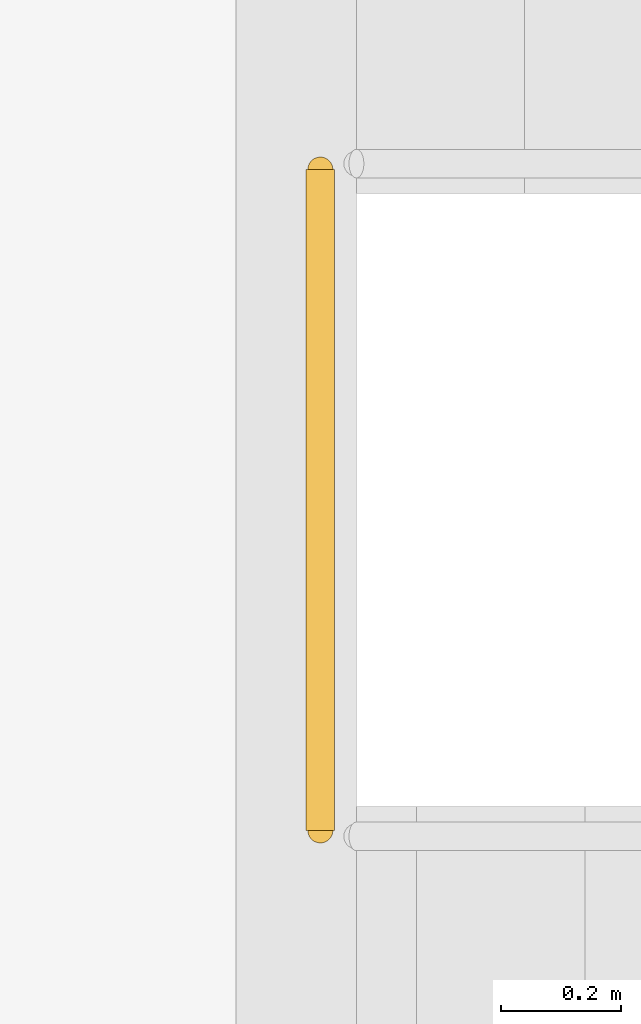
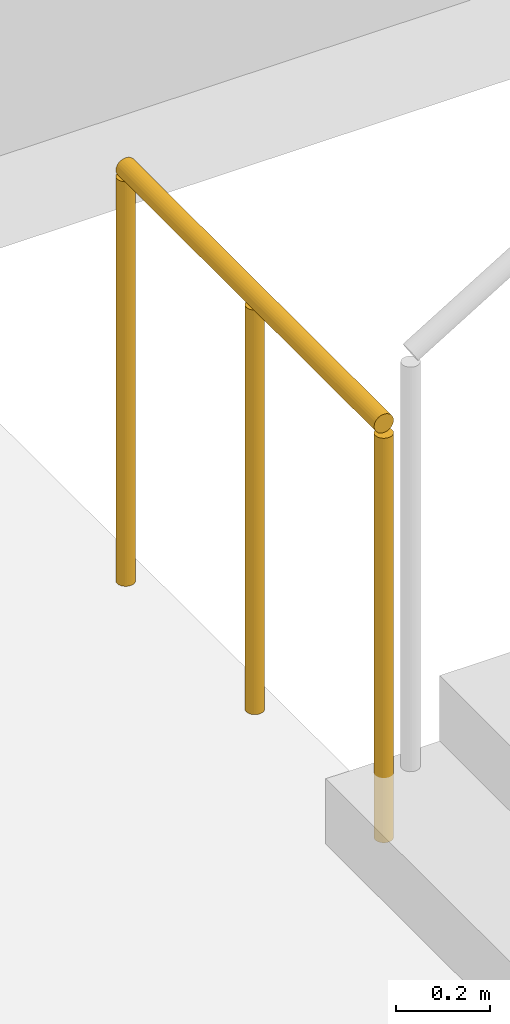
# One storey, part 71 of 79: 1 railing.
"""IFC4 building model written with IfcOpenShell, lengths in metres."""

from ifc_helpers import new_model, si_unit, direction, frame, origin, origin_2d, place, context, subcontext, project, spatial, circle, extrude, material, type_object, element, save


model = new_model("IFC4")

# Units and contexts
model_context = context("Model", 3, precision=1e-05, world=origin(), true_north=direction((0.0, 1.0)))
body_context = subcontext(model_context, "Body", "Model", "MODEL_VIEW")
ifc_project = project(units=[si_unit("LENGTHUNIT", "METRE"), si_unit("AREAUNIT", "SQUARE_METRE"), si_unit("VOLUMEUNIT", "CUBIC_METRE"), si_unit("PLANEANGLEUNIT", "RADIAN"), si_unit("MASSUNIT", "GRAM", prefix="KILO")], contexts=[model_context])

# Site, building, storey
site_placement = place(None, origin())
site = spatial("IfcSite", under=ifc_project, at=site_placement, CompositionType="ELEMENT")
building_placement = place(site_placement, origin())
building = spatial("IfcBuilding", under=site, at=building_placement, Name="Shalkamar Park Central Library", CompositionType="ELEMENT")
storey_placement = place(building_placement, frame((0.0, 0.0, 10.5)))
storey = spatial("IfcBuildingStorey", under=building, at=storey_placement, Name="L03", CompositionType="ELEMENT", Elevation=10.5)

# Railing
ifc_material = material(Name="Steel S355", Category="steel")
railing_type = type_object("IfcRailingType", Name="Stair Guardrail 1100", PredefinedType="GUARDRAIL", material=ifc_material)
railing_placement = place(storey_placement, frame((198.739990234375, 250.10009765625, 0.0)))
element("IfcRailing", 1, at=railing_placement, inside=storey, type_object=railing_type, Name="Stair Arrival Well Guardrail ST-T2 (L03)", PredefinedType="GUARDRAIL", context=body_context, shape_type="SweptSolid", body=[
    extrude(circle(Radius=0.02392578125, at=origin_2d()), frame((0.0, 0.0, 1.076171875), z_axis=(0.0, 1.0, 0.0), x_axis=(-1.0, 0.0, 0.0)), (0.0, 0.0, 1.0), 1.099853515625),
    extrude(circle(Radius=0.02099609375, at=origin_2d()), origin(), (0.0, 0.0, 1.0), 1.052001953125),
    extrude(circle(Radius=0.02099609375, at=origin_2d()), frame((0.0, 0.5498046875, 0.0)), (0.0, 0.0, 1.0), 1.052001953125),
    extrude(circle(Radius=0.02099609375, at=origin_2d()), frame((0.0, 1.099853515625, 0.0)), (0.0, 0.0, 1.0), 1.052001953125),
])

save(model, "model.ifc")
